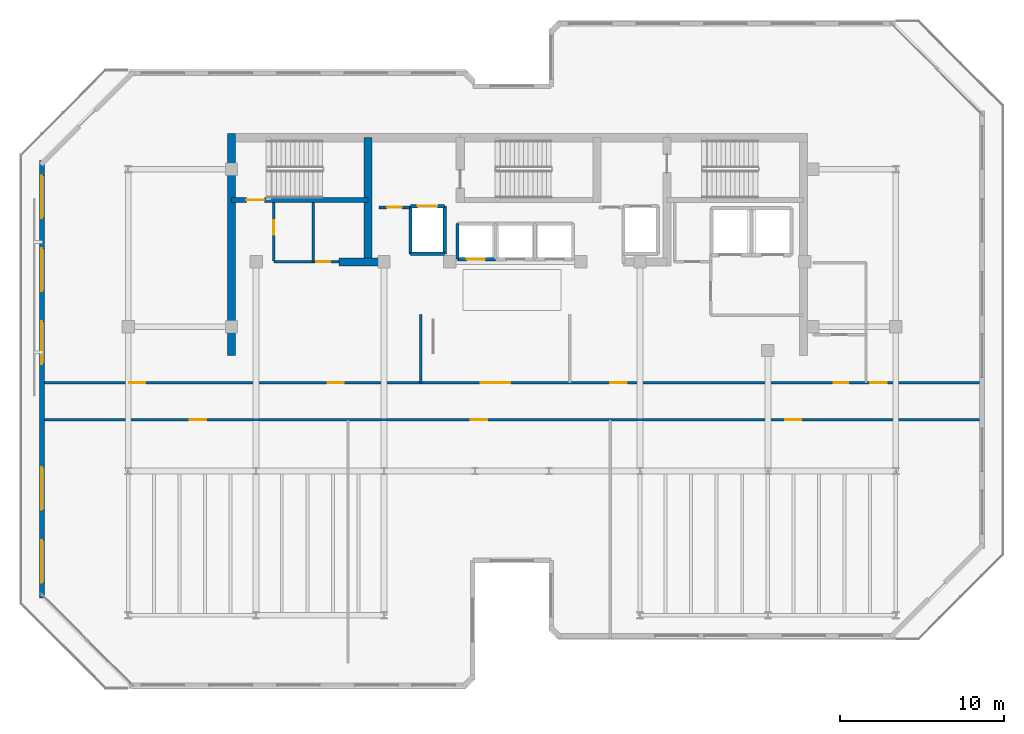
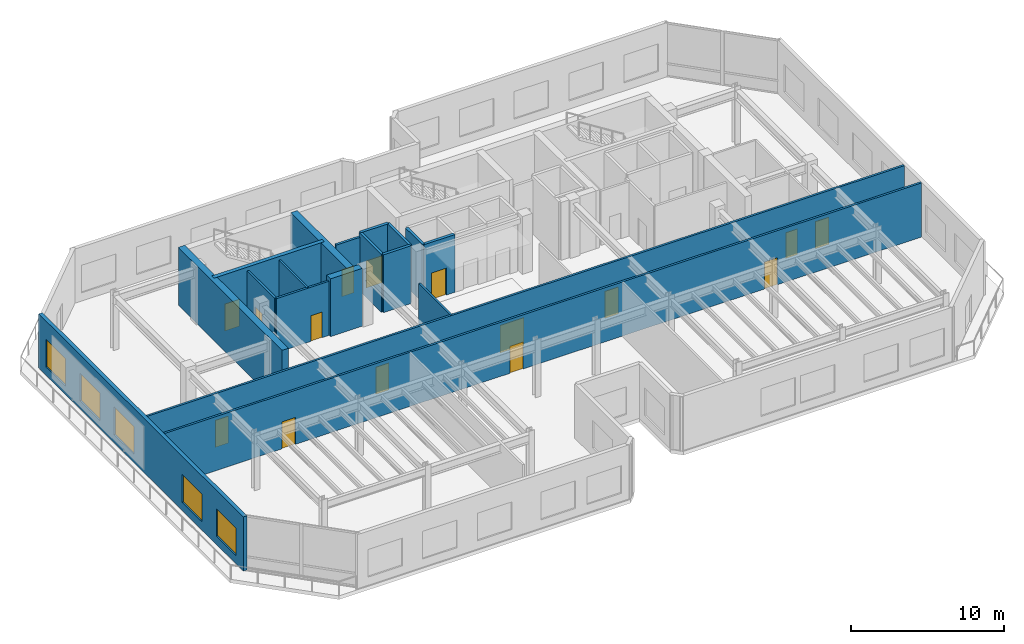
# One storey, part 6 of 12: 18 walls, 15 doors, 5 windows, 20 openings.
"""IFC4 building model written with IfcOpenShell, lengths in metres."""

from ifc_helpers import new_model, si_unit, direction, frame, frame_2d, origin, place, context, subcontext, project, spatial, rectangle, extrude, material, layer, layer_set, type_object, element, fill, save


model = new_model("IFC4")

# Units and contexts
model_context = context("Model", 3, precision=1e-05, world=origin(), true_north=direction((0.0, 1.0)))
body_context = subcontext(model_context, "Body", "Model", "MODEL_VIEW")
ifc_project = project(units=[si_unit("LENGTHUNIT", "METRE"), si_unit("AREAUNIT", "SQUARE_METRE"), si_unit("VOLUMEUNIT", "CUBIC_METRE"), si_unit("PLANEANGLEUNIT", "RADIAN"), si_unit("MASSUNIT", "GRAM", prefix="KILO")], contexts=[model_context])

# Site, building, storey
site_placement = place(None, origin())
site = spatial("IfcSite", under=ifc_project, at=site_placement, CompositionType="ELEMENT")
building_placement = place(site_placement, origin())
building = spatial("IfcBuilding", under=site, at=building_placement, Name="Kestravale Grand Hotel", CompositionType="ELEMENT")
storey_placement = place(building_placement, frame((0.0, 0.0, 302.0)))
storey = spatial("IfcBuildingStorey", under=building, at=storey_placement, Name="L75", CompositionType="ELEMENT", Elevation=302.0)

# Walls
ifc_material_1 = material(Name="Concrete f'c 50 MPa", Category="concrete")
ifc_layer_1 = layer(ifc_material_1, 0.5)
ifc_layer_set_1 = layer_set([ifc_layer_1], Name="EW-CORE-500")
wall_type_1 = type_object("IfcWallType", Name="EW-CORE-500", PredefinedType="SHEAR", material=ifc_layer_set_1)
wall_1_placement = place(storey_placement, frame((21.89990234375, 27.050048828125, 0.0), z_axis=(0.0, 0.0, 1.0), x_axis=(0.0, 1.0, 0.0)))
element("IfcWall", 1, at=wall_1_placement, inside=storey, type_object=wall_type_1, Name="L75 core shear wall W1", PredefinedType="SHEAR", context=body_context, shape_type="SweptSolid", body=[
    extrude(rectangle(XDim=13.52001953125, YDim=0.5, at=frame_2d((6.760009765625, 0.0))), origin(), (0.0, 0.0, 1.0), 4.60009765625),
])
wall_2_placement = place(storey_placement, frame((28.449951171875, 32.75, 0.0), z_axis=(0.0, 0.0, 1.0), x_axis=(1.0, 0.0, 0.0)))
element("IfcWall", 2, at=wall_2_placement, inside=storey, type_object=wall_type_1, Name="L75 core shear wall S1", PredefinedType="SHEAR", context=body_context, shape_type="SweptSolid", body=[
    extrude(rectangle(XDim=2.400146484375, YDim=0.5, at=frame_2d((1.2001953125, 0.0))), origin(), (0.0, 0.0, 1.0), 4.60009765625),
])
wall_3_placement = place(storey_placement, frame((30.219970703125, 33.0, 0.0), z_axis=(0.0, 0.0, 1.0), x_axis=(0.0, 1.0, 0.0)))
element("IfcWall", 3, at=wall_3_placement, inside=storey, type_object=wall_type_1, Name="L75 core shear wall X1", PredefinedType="SHEAR", context=body_context, shape_type="SweptSolid", body=[
    extrude(rectangle(XDim=7.320068359375, YDim=0.5, at=frame_2d((3.66015625, 0.0))), origin(), (0.0, 0.0, 1.0), 4.60009765625),
])

# Wall, openings, windows
ifc_material_2 = material(Name="Precast concrete f'c 45 MPa", Category="concrete")
ifc_layer_2 = layer(ifc_material_2, 0.280029296875)
ifc_layer_set_2 = layer_set([ifc_layer_2], Name="EW-PREC-280")
wall_type_2 = type_object("IfcWallType", Name="EW-PREC-280", PredefinedType="SOLIDWALL", material=ifc_layer_set_2)
wall_4_placement = place(storey_placement, frame((10.340087890625, 38.93994140625, 0.0), z_axis=(0.0, 0.0, 1.0), x_axis=(0.0, -1.0, 0.0)))
wall_4 = element("IfcWall", 4, at=wall_4_placement, inside=storey, type_object=wall_type_2, Name="L75 fluted precast facade wall 19", PredefinedType="SOLIDWALL", context=body_context, shape_type="SweptSolid", body=[
    extrude(rectangle(XDim=26.679931640625, YDim=0.280029296875, at=frame_2d((13.33984375, 0.0))), origin(), (0.0, 0.0, 1.0), 4.31005859375),
])
opening_1_placement = place(wall_4_placement, frame((0.92333984375, 0.0, 0.64990234375)))
opening_1 = element("IfcOpeningElement", 5, at=opening_1_placement, cuts=wall_4, Name="Opening W-SKY-2600", PredefinedType="OPENING", context=body_context, shape_type="SweptSolid", body=[
    extrude(rectangle(XDim=2.60009765625, YDim=2.199951171875, at=frame_2d((1.300048828125, 1.10009765625))), frame((0.0, 0.14990234375, 0.0), z_axis=(0.0, -1.0, 0.0), x_axis=(1.0, 0.0, 0.0)), (0.0, 0.0, 1.0), 0.300048828125),
])
opening_2_placement = place(wall_4_placement, frame((5.3701171875, 0.0, 0.64990234375)))
opening_2 = element("IfcOpeningElement", 6, at=opening_2_placement, cuts=wall_4, Name="Opening W-SKY-2600", PredefinedType="OPENING", context=body_context, shape_type="SweptSolid", body=[
    extrude(rectangle(XDim=2.60009765625, YDim=2.199951171875, at=frame_2d((1.300048828125, 1.10009765625))), frame((0.0, 0.14990234375, 0.0), z_axis=(0.0, -1.0, 0.0), x_axis=(1.0, 0.0, 0.0)), (0.0, 0.0, 1.0), 0.300048828125),
])
opening_3_placement = place(wall_4_placement, frame((9.816650390625, 0.0, 0.64990234375)))
opening_3 = element("IfcOpeningElement", 7, at=opening_3_placement, cuts=wall_4, Name="Opening W-SKY-2600", PredefinedType="OPENING", context=body_context, shape_type="SweptSolid", body=[
    extrude(rectangle(XDim=2.60009765625, YDim=2.199951171875, at=frame_2d((1.300048828125, 1.10009765625))), frame((0.0, 0.14990234375, 0.0), z_axis=(0.0, -1.0, 0.0), x_axis=(1.0, 0.0, 0.0)), (0.0, 0.0, 1.0), 0.300048828125),
])
opening_4_placement = place(wall_4_placement, frame((18.7099609375, 0.0, 0.64990234375)))
opening_4 = element("IfcOpeningElement", 8, at=opening_4_placement, cuts=wall_4, Name="Opening W-SKY-2600", PredefinedType="OPENING", context=body_context, shape_type="SweptSolid", body=[
    extrude(rectangle(XDim=2.60009765625, YDim=2.199951171875, at=frame_2d((1.300048828125, 1.10009765625))), frame((0.0, 0.14990234375, 0.0), z_axis=(0.0, -1.0, 0.0), x_axis=(1.0, 0.0, 0.0)), (0.0, 0.0, 1.0), 0.300048828125),
])
opening_5_placement = place(wall_4_placement, frame((23.15673828125, 0.0, 0.64990234375)))
opening_5 = element("IfcOpeningElement", 9, at=opening_5_placement, cuts=wall_4, Name="Opening W-SKY-2600", PredefinedType="OPENING", context=body_context, shape_type="SweptSolid", body=[
    extrude(rectangle(XDim=2.60009765625, YDim=2.199951171875, at=frame_2d((1.300048828125, 1.10009765625))), frame((0.0, 0.14990234375, 0.0), z_axis=(0.0, -1.0, 0.0), x_axis=(1.0, 0.0, 0.0)), (0.0, 0.0, 1.0), 0.300048828125),
])
ifc_material_3 = material(Name="Insulated low-E double glazing in aluminium frame", Category="aluminium")
window_type = type_object("IfcWindowType", Name="W-SKY-2600", PartitioningType="TRIPLE_PANEL_VERTICAL", PredefinedType="WINDOW", material=ifc_material_3)
window_1_placement = place(opening_1_placement, origin())
window_1 = element("IfcWindow", 10, at=window_1_placement, inside=storey, type_object=window_type, Name="L75 exterior window 19.1", OverallHeight=2.199951171875, OverallWidth=2.60009765625, PartitioningType="SINGLE_PANEL", PredefinedType="WINDOW", context=body_context, shape_type="SweptSolid", body=[
    extrude(rectangle(XDim=2.60009765625, YDim=2.199951171875, at=frame_2d((1.300048828125, 1.10009765625))), frame((0.0, 0.030029296875, 0.0), z_axis=(0.0, -1.0, 0.0), x_axis=(1.0, 0.0, 0.0)), (0.0, 0.0, 1.0), 0.06005859375),
])
fill(opening_1, window_1)
window_2_placement = place(opening_2_placement, origin())
window_2 = element("IfcWindow", 11, at=window_2_placement, inside=storey, type_object=window_type, Name="L75 exterior window 19.2", OverallHeight=2.199951171875, OverallWidth=2.60009765625, PartitioningType="SINGLE_PANEL", PredefinedType="WINDOW", context=body_context, shape_type="SweptSolid", body=[
    extrude(rectangle(XDim=2.60009765625, YDim=2.199951171875, at=frame_2d((1.300048828125, 1.10009765625))), frame((0.0, 0.030029296875, 0.0), z_axis=(0.0, -1.0, 0.0), x_axis=(1.0, 0.0, 0.0)), (0.0, 0.0, 1.0), 0.06005859375),
])
fill(opening_2, window_2)
window_3_placement = place(opening_3_placement, origin())
window_3 = element("IfcWindow", 12, at=window_3_placement, inside=storey, type_object=window_type, Name="L75 exterior window 19.3", OverallHeight=2.199951171875, OverallWidth=2.60009765625, PartitioningType="SINGLE_PANEL", PredefinedType="WINDOW", context=body_context, shape_type="SweptSolid", body=[
    extrude(rectangle(XDim=2.60009765625, YDim=2.199951171875, at=frame_2d((1.300048828125, 1.10009765625))), frame((0.0, 0.030029296875, 0.0), z_axis=(0.0, -1.0, 0.0), x_axis=(1.0, 0.0, 0.0)), (0.0, 0.0, 1.0), 0.06005859375),
])
fill(opening_3, window_3)
window_4_placement = place(opening_4_placement, origin())
window_4 = element("IfcWindow", 13, at=window_4_placement, inside=storey, type_object=window_type, Name="L75 exterior window 19.4", OverallHeight=2.199951171875, OverallWidth=2.60009765625, PartitioningType="SINGLE_PANEL", PredefinedType="WINDOW", context=body_context, shape_type="SweptSolid", body=[
    extrude(rectangle(XDim=2.60009765625, YDim=2.199951171875, at=frame_2d((1.300048828125, 1.10009765625))), frame((0.0, 0.030029296875, 0.0), z_axis=(0.0, -1.0, 0.0), x_axis=(1.0, 0.0, 0.0)), (0.0, 0.0, 1.0), 0.06005859375),
])
fill(opening_4, window_4)
window_5_placement = place(opening_5_placement, origin())
window_5 = element("IfcWindow", 14, at=window_5_placement, inside=storey, type_object=window_type, Name="L75 exterior window 19.5", OverallHeight=2.199951171875, OverallWidth=2.60009765625, PartitioningType="SINGLE_PANEL", PredefinedType="WINDOW", context=body_context, shape_type="SweptSolid", body=[
    extrude(rectangle(XDim=2.60009765625, YDim=2.199951171875, at=frame_2d((1.300048828125, 1.10009765625))), frame((0.0, 0.030029296875, 0.0), z_axis=(0.0, -1.0, 0.0), x_axis=(1.0, 0.0, 0.0)), (0.0, 0.0, 1.0), 0.06005859375),
])
fill(opening_5, window_5)

# Wall, opening, door
ifc_material_4 = material(Name="Concrete f'c 45 MPa", Category="concrete")
ifc_layer_3 = layer(ifc_material_4, 0.300048828125)
ifc_layer_set_3 = layer_set([ifc_layer_3], Name="EW-STAIR-300")
wall_type_3 = type_object("IfcWallType", Name="EW-STAIR-300", PredefinedType="SHEAR", material=ifc_layer_set_3)
wall_5_placement = place(storey_placement, frame((21.89990234375, 36.52001953125, 0.0), z_axis=(0.0, 0.0, 1.0), x_axis=(1.0, 0.0, 0.0)))
wall_5 = element("IfcWall", 15, at=wall_5_placement, inside=storey, type_object=wall_type_3, Name="L75 stair enclosure shear wall SST1", PredefinedType="SHEAR", context=body_context, shape_type="SweptSolid", body=[
    extrude(rectangle(XDim=8.320068359375, YDim=0.300048828125, at=frame_2d((4.16015625, 0.0))), origin(), (0.0, 0.0, 1.0), 4.60009765625),
])
opening_6_placement = place(wall_5_placement, frame((0.89990234375, 0.0, 0.0)))
opening_6 = element("IfcOpeningElement", 16, at=opening_6_placement, cuts=wall_5, Name="Opening D-ST-1100", PredefinedType="OPENING", context=body_context, shape_type="SweptSolid", body=[
    extrude(rectangle(XDim=1.10009765625, YDim=2.14990234375, at=frame_2d((0.550048828125, 1.074951171875))), frame((0.0, 0.159912109375, 0.0), z_axis=(0.0, -1.0, 0.0), x_axis=(1.0, 0.0, 0.0)), (0.0, 0.0, 1.0), 0.320068359375),
])
ifc_material_5 = material(Name="Galvanised 90-minute fire-rated steel stair door", Category="steel")
door_type_1 = type_object("IfcDoorType", Name="D-ST-1100", OperationType="NOTDEFINED", PredefinedType="DOOR", material=ifc_material_5)
door_1_placement = place(opening_6_placement, origin())
door_1 = element("IfcDoor", 17, at=door_1_placement, inside=storey, type_object=door_type_1, Name="L75 Stair ST-1 fire door", OperationType="SINGLE_SWING_RIGHT", OverallHeight=2.14990234375, OverallWidth=1.10009765625, PredefinedType="DOOR", context=body_context, shape_type="SweptSolid", body=[
    extrude(rectangle(XDim=1.10009765625, YDim=2.14990234375, at=frame_2d((0.550048828125, 1.074951171875))), frame((0.0, 0.02490234375, 0.0), z_axis=(0.0, -1.0, 0.0), x_axis=(1.0, 0.0, 0.0)), (0.0, 0.0, 1.0), 0.050048828125),
])
fill(opening_6, door_1)

ifc_material_6 = material(Name="Acoustic fire-rated gypsum board partition", Category="other")
ifc_layer_4 = layer(ifc_material_6, 0.159912109375)
ifc_layer_set_4 = layer_set([ifc_layer_4], Name="IW-CORR-160")
wall_type_4 = type_object("IfcWallType", Name="IW-CORR-160", PredefinedType="PARTITIONING", material=ifc_layer_set_4)
wall_6_placement = place(storey_placement, frame((24.47998046875, 32.800048828125, 0.0), z_axis=(0.0, 0.0, 1.0), x_axis=(0.0, 1.0, 0.0)))
wall_6 = element("IfcWall", 18, at=wall_6_placement, inside=storey, type_object=wall_type_4, Name="L75 west core vestibule wall", PredefinedType="PARTITIONING", context=body_context, shape_type="SweptSolid", body=[
    extrude(rectangle(XDim=3.570068359375, YDim=0.159912109375, at=frame_2d((1.78515625, 0.0))), origin(), (0.0, 0.0, 1.0), 4.31005859375),
])
opening_7_placement = place(wall_6_placement, frame((1.603515625, 0.0, 0.0)))
opening_7 = element("IfcOpeningElement", 19, at=opening_7_placement, cuts=wall_6, Name="Opening D-SH-900", PredefinedType="OPENING", context=body_context, shape_type="SweptSolid", body=[
    extrude(rectangle(XDim=0.89990234375, YDim=2.10009765625, at=frame_2d((0.449951171875, 1.050048828125))), frame((0.0, 0.08984375, 0.0), z_axis=(0.0, -1.0, 0.0), x_axis=(1.0, 0.0, 0.0)), (0.0, 0.0, 1.0), 0.179931640625),
])
ifc_material_7 = material(Name="Galvanised 90-minute shaft and service fire door", Category="steel")
door_type_2 = type_object("IfcDoorType", Name="D-SH-900", OperationType="NOTDEFINED", PredefinedType="DOOR", material=ifc_material_7)
door_2_placement = place(opening_7_placement, origin())
door_2 = element("IfcDoor", 20, at=door_2_placement, inside=storey, type_object=door_type_2, Name="D-L75-HK", OperationType="SINGLE_SWING_RIGHT", OverallHeight=2.10009765625, OverallWidth=0.89990234375, PredefinedType="DOOR", context=body_context, shape_type="SweptSolid", body=[
    extrude(rectangle(XDim=0.89990234375, YDim=2.10009765625, at=frame_2d((0.449951171875, 1.050048828125))), frame((0.0, 0.02490234375, 0.0), z_axis=(0.0, -1.0, 0.0), x_axis=(1.0, 0.0, 0.0)), (0.0, 0.0, 1.0), 0.050048828125),
])
fill(opening_7, door_2)

wall_7_placement = place(storey_placement, frame((24.47998046875, 32.75, 0.0), z_axis=(0.0, 0.0, 1.0), x_axis=(1.0, 0.0, 0.0)))
wall_7 = element("IfcWall", 21, at=wall_7_placement, inside=storey, type_object=wall_type_4, Name="W-L75-CWS", PredefinedType="PARTITIONING", context=body_context, shape_type="SweptSolid", body=[
    extrude(rectangle(XDim=3.969970703125, YDim=0.159912109375, at=frame_2d((1.98486328125, 0.0))), origin(), (0.0, 0.0, 1.0), 4.31005859375),
])
opening_8_placement = place(wall_7_placement, frame((2.5849609375, 0.0, 0.0)))
opening_8 = element("IfcOpeningElement", 22, at=opening_8_placement, cuts=wall_7, Name="Opening D-SH-860", PredefinedType="OPENING", context=body_context, shape_type="SweptSolid", body=[
    extrude(rectangle(XDim=0.860107421875, YDim=2.050048828125, at=frame_2d((0.43017578125, 1.02490234375))), frame((0.0, 0.08984375, 0.0), z_axis=(0.0, -1.0, 0.0), x_axis=(1.0, 0.0, 0.0)), (0.0, 0.0, 1.0), 0.179931640625),
])
ifc_material_8 = material(Name="Galvanised 90-minute riser fire door", Category="steel")
door_type_3 = type_object("IfcDoorType", Name="D-SH-860", OperationType="NOTDEFINED", PredefinedType="DOOR", material=ifc_material_8)
door_3_placement = place(opening_8_placement, origin())
door_3 = element("IfcDoor", 23, at=door_3_placement, inside=storey, type_object=door_type_3, Name="D-L75-ELEC", OperationType="SINGLE_SWING_RIGHT", OverallHeight=2.050048828125, OverallWidth=0.860107421875, PredefinedType="DOOR", context=body_context, shape_type="SweptSolid", body=[
    extrude(rectangle(XDim=0.860107421875, YDim=2.050048828125, at=frame_2d((0.43017578125, 1.02490234375))), frame((0.0, 0.02490234375, 0.0), z_axis=(0.0, -1.0, 0.0), x_axis=(1.0, 0.0, 0.0)), (0.0, 0.0, 1.0), 0.050048828125),
])
fill(opening_8, door_3)

# Wall, openings, doors
wall_8_placement = place(storey_placement, frame((10.5, 23.1201171875, 0.0), z_axis=(0.0, 0.0, 1.0), x_axis=(1.0, 0.0, 0.0)))
wall_8 = element("IfcWall", 24, at=wall_8_placement, inside=storey, type_object=wall_type_4, Name="W-L75-SC-S", PredefinedType="PARTITIONING", context=body_context, shape_type="SweptSolid", body=[
    extrude(rectangle(XDim=57.0, YDim=0.159912109375, at=frame_2d((28.5, 0.0))), origin(), (0.0, 0.0, 1.0), 4.31005859375),
])
opening_9_placement = place(wall_8_placement, frame((8.85009765625, 0.0, 0.0)))
opening_9 = element("IfcOpeningElement", 25, at=opening_9_placement, cuts=wall_8, Name="Opening D-GUEST-1000", PredefinedType="OPENING", context=body_context, shape_type="SweptSolid", body=[
    extrude(rectangle(XDim=1.0, YDim=2.14990234375, at=frame_2d((0.5, 1.074951171875))), frame((0.0, 0.08984375, 0.0), z_axis=(0.0, -1.0, 0.0), x_axis=(1.0, 0.0, 0.0)), (0.0, 0.0, 1.0), 0.179931640625),
])
opening_10_placement = place(wall_8_placement, frame((26.0, 0.0, 0.0)))
opening_10 = element("IfcOpeningElement", 26, at=opening_10_placement, cuts=wall_8, Name="Opening D-GUEST-1000", PredefinedType="OPENING", context=body_context, shape_type="SweptSolid", body=[
    extrude(rectangle(XDim=1.0, YDim=2.14990234375, at=frame_2d((0.5, 1.074951171875))), frame((0.0, 0.08984375, 0.0), z_axis=(0.0, -1.0, 0.0), x_axis=(1.0, 0.0, 0.0)), (0.0, 0.0, 1.0), 0.179931640625),
])
opening_11_placement = place(wall_8_placement, frame((45.14990234375, 0.0, 0.0)))
opening_11 = element("IfcOpeningElement", 27, at=opening_11_placement, cuts=wall_8, Name="Opening D-GUEST-1000", PredefinedType="OPENING", context=body_context, shape_type="SweptSolid", body=[
    extrude(rectangle(XDim=1.0, YDim=2.14990234375, at=frame_2d((0.5, 1.074951171875))), frame((0.0, 0.08984375, 0.0), z_axis=(0.0, -1.0, 0.0), x_axis=(1.0, 0.0, 0.0)), (0.0, 0.0, 1.0), 0.179931640625),
])
ifc_material_9 = material(Name="Accessible walnut veneer hotel entrance fire door", Category="wood")
door_type_4 = type_object("IfcDoorType", Name="D-GUEST-1000", OperationType="NOTDEFINED", PredefinedType="DOOR", material=ifc_material_9)
door_4_placement = place(opening_9_placement, origin())
door_4 = element("IfcDoor", 28, at=door_4_placement, inside=storey, type_object=door_type_4, Name="D-L75-OBSW", OperationType="SINGLE_SWING_RIGHT", OverallHeight=2.14990234375, OverallWidth=1.0, PredefinedType="DOOR", context=body_context, shape_type="SweptSolid", body=[
    extrude(rectangle(XDim=1.0, YDim=2.14990234375, at=frame_2d((0.5, 1.074951171875))), frame((0.0, 0.02490234375, 0.0), z_axis=(0.0, -1.0, 0.0), x_axis=(1.0, 0.0, 0.0)), (0.0, 0.0, 1.0), 0.050048828125),
])
fill(opening_9, door_4)
door_5_placement = place(opening_10_placement, origin())
door_5 = element("IfcDoor", 29, at=door_5_placement, inside=storey, type_object=door_type_4, Name="D-L75-CAFE75", OperationType="SINGLE_SWING_LEFT", OverallHeight=2.14990234375, OverallWidth=1.0, PredefinedType="DOOR", context=body_context, shape_type="SweptSolid", body=[
    extrude(rectangle(XDim=1.0, YDim=2.14990234375, at=frame_2d((0.5, 1.074951171875))), frame((0.0, 0.02490234375, 0.0), z_axis=(0.0, -1.0, 0.0), x_axis=(1.0, 0.0, 0.0)), (0.0, 0.0, 1.0), 0.050048828125),
])
fill(opening_10, door_5)
door_6_placement = place(opening_11_placement, origin())
door_6 = element("IfcDoor", 30, at=door_6_placement, inside=storey, type_object=door_type_4, Name="D-L75-EXHIB", OperationType="SINGLE_SWING_RIGHT", OverallHeight=2.14990234375, OverallWidth=1.0, PredefinedType="DOOR", context=body_context, shape_type="SweptSolid", body=[
    extrude(rectangle(XDim=1.0, YDim=2.14990234375, at=frame_2d((0.5, 1.074951171875))), frame((0.0, 0.02490234375, 0.0), z_axis=(0.0, -1.0, 0.0), x_axis=(1.0, 0.0, 0.0)), (0.0, 0.0, 1.0), 0.050048828125),
])
fill(opening_11, door_6)

wall_9_placement = place(storey_placement, frame((10.5, 25.3798828125, 0.0), z_axis=(0.0, 0.0, 1.0), x_axis=(1.0, 0.0, 0.0)))
wall_9 = element("IfcWall", 31, at=wall_9_placement, inside=storey, type_object=wall_type_4, Name="W-L75-SC-N", PredefinedType="PARTITIONING", context=body_context, shape_type="SweptSolid", body=[
    extrude(rectangle(XDim=57.0, YDim=0.159912109375, at=frame_2d((28.5, 0.0))), origin(), (0.0, 0.0, 1.0), 4.31005859375),
])
opening_12_placement = place(wall_9_placement, frame((26.60009765625, 0.0, 0.0)))
opening_12 = element("IfcOpeningElement", 32, at=opening_12_placement, cuts=wall_9, Name="Opening D-CORR-1800", PredefinedType="OPENING", context=body_context, shape_type="SweptSolid", body=[
    extrude(rectangle(XDim=1.800048828125, YDim=2.199951171875, at=frame_2d((0.89990234375, 1.10009765625))), frame((0.0, 0.08984375, 0.0), z_axis=(0.0, -1.0, 0.0), x_axis=(1.0, 0.0, 0.0)), (0.0, 0.0, 1.0), 0.179931640625),
])
opening_13_placement = place(wall_9_placement, frame((17.25, 0.0, 0.0)))
opening_13 = element("IfcOpeningElement", 33, at=opening_13_placement, cuts=wall_9, Name="Opening D-GUEST-1000", PredefinedType="OPENING", context=body_context, shape_type="SweptSolid", body=[
    extrude(rectangle(XDim=1.0, YDim=2.14990234375, at=frame_2d((0.5, 1.074951171875))), frame((0.0, 0.08984375, 0.0), z_axis=(0.0, -1.0, 0.0), x_axis=(1.0, 0.0, 0.0)), (0.0, 0.0, 1.0), 0.179931640625),
])
opening_14_placement = place(wall_9_placement, frame((34.5, 0.0, 0.0)))
opening_14 = element("IfcOpeningElement", 34, at=opening_14_placement, cuts=wall_9, Name="Opening D-GUEST-1000", PredefinedType="OPENING", context=body_context, shape_type="SweptSolid", body=[
    extrude(rectangle(XDim=1.0, YDim=2.14990234375, at=frame_2d((0.5, 1.074951171875))), frame((0.0, 0.08984375, 0.0), z_axis=(0.0, -1.0, 0.0), x_axis=(1.0, 0.0, 0.0)), (0.0, 0.0, 1.0), 0.179931640625),
])
opening_15_placement = place(wall_9_placement, frame((5.14990234375, 0.0, 0.0)))
opening_15 = element("IfcOpeningElement", 35, at=opening_15_placement, cuts=wall_9, Name="Opening D-GUEST-1000", PredefinedType="OPENING", context=body_context, shape_type="SweptSolid", body=[
    extrude(rectangle(XDim=1.0, YDim=2.14990234375, at=frame_2d((0.5, 1.074951171875))), frame((0.0, 0.08984375, 0.0), z_axis=(0.0, -1.0, 0.0), x_axis=(1.0, 0.0, 0.0)), (0.0, 0.0, 1.0), 0.179931640625),
])
opening_16_placement = place(wall_9_placement, frame((48.110107421875, 0.0, 0.0)))
opening_16 = element("IfcOpeningElement", 36, at=opening_16_placement, cuts=wall_9, Name="Opening D-BATH-880", PredefinedType="OPENING", context=body_context, shape_type="SweptSolid", body=[
    extrude(rectangle(XDim=0.8798828125, YDim=2.050048828125, at=frame_2d((0.43994140625, 1.02490234375))), frame((0.0, 0.08984375, 0.0), z_axis=(0.0, -1.0, 0.0), x_axis=(1.0, 0.0, 0.0)), (0.0, 0.0, 1.0), 0.179931640625),
])
opening_17_placement = place(wall_9_placement, frame((50.35009765625, 0.0, 0.0)))
opening_17 = element("IfcOpeningElement", 37, at=opening_17_placement, cuts=wall_9, Name="Opening D-GUEST-1000", PredefinedType="OPENING", context=body_context, shape_type="SweptSolid", body=[
    extrude(rectangle(XDim=1.0, YDim=2.14990234375, at=frame_2d((0.5, 1.074951171875))), frame((0.0, 0.08984375, 0.0), z_axis=(0.0, -1.0, 0.0), x_axis=(1.0, 0.0, 0.0)), (0.0, 0.0, 1.0), 0.179931640625),
])
ifc_material_10 = material(Name="Moisture-sealed walnut en-suite bathroom door", Category="wood")
door_type_5 = type_object("IfcDoorType", Name="D-BATH-880", OperationType="NOTDEFINED", PredefinedType="DOOR", material=ifc_material_10)
door_7_placement = place(opening_16_placement, origin())
door_7 = element("IfcDoor", 38, at=door_7_placement, inside=storey, type_object=door_type_5, Name="D-L75-WCA", OperationType="SINGLE_SWING_RIGHT", OverallHeight=2.050048828125, OverallWidth=0.8798828125, PredefinedType="DOOR", context=body_context, shape_type="SweptSolid", body=[
    extrude(rectangle(XDim=0.8798828125, YDim=2.050048828125, at=frame_2d((0.43994140625, 1.02490234375))), frame((0.0, 0.02490234375, 0.0), z_axis=(0.0, -1.0, 0.0), x_axis=(1.0, 0.0, 0.0)), (0.0, 0.0, 1.0), 0.050048828125),
])
fill(opening_16, door_7)
ifc_material_11 = material(Name="Double-leaf glazed bronze acoustic corridor fire door", Category="aluminium")
door_type_6 = type_object("IfcDoorType", Name="D-CORR-1800", OperationType="NOTDEFINED", PredefinedType="DOOR", material=ifc_material_11)
door_8_placement = place(opening_12_placement, origin())
door_8 = element("IfcDoor", 39, at=door_8_placement, inside=storey, type_object=door_type_6, Name="D-L75-LCONN", OperationType="DOUBLE_DOOR_SINGLE_SWING", OverallHeight=2.199951171875, OverallWidth=1.800048828125, PredefinedType="DOOR", context=body_context, shape_type="SweptSolid", body=[
    extrude(rectangle(XDim=1.800048828125, YDim=2.199951171875, at=frame_2d((0.89990234375, 1.10009765625))), frame((0.0, 0.02490234375, 0.0), z_axis=(0.0, -1.0, 0.0), x_axis=(1.0, 0.0, 0.0)), (0.0, 0.0, 1.0), 0.050048828125),
])
fill(opening_12, door_8)
door_9_placement = place(opening_13_placement, origin())
door_9 = element("IfcDoor", 40, at=door_9_placement, inside=storey, type_object=door_type_4, Name="D-L75-RECL-W", OperationType="SINGLE_SWING_RIGHT", OverallHeight=2.14990234375, OverallWidth=1.0, PredefinedType="DOOR", context=body_context, shape_type="SweptSolid", body=[
    extrude(rectangle(XDim=1.0, YDim=2.14990234375, at=frame_2d((0.5, 1.074951171875))), frame((0.0, 0.02490234375, 0.0), z_axis=(0.0, -1.0, 0.0), x_axis=(1.0, 0.0, 0.0)), (0.0, 0.0, 1.0), 0.050048828125),
])
fill(opening_13, door_9)
door_10_placement = place(opening_14_placement, origin())
door_10 = element("IfcDoor", 41, at=door_10_placement, inside=storey, type_object=door_type_4, Name="D-L75-RECL-E", OperationType="SINGLE_SWING_LEFT", OverallHeight=2.14990234375, OverallWidth=1.0, PredefinedType="DOOR", context=body_context, shape_type="SweptSolid", body=[
    extrude(rectangle(XDim=1.0, YDim=2.14990234375, at=frame_2d((0.5, 1.074951171875))), frame((0.0, 0.02490234375, 0.0), z_axis=(0.0, -1.0, 0.0), x_axis=(1.0, 0.0, 0.0)), (0.0, 0.0, 1.0), 0.050048828125),
])
fill(opening_14, door_10)
door_11_placement = place(opening_15_placement, origin())
door_11 = element("IfcDoor", 42, at=door_11_placement, inside=storey, type_object=door_type_4, Name="D-L75-NW", OperationType="SINGLE_SWING_LEFT", OverallHeight=2.14990234375, OverallWidth=1.0, PredefinedType="DOOR", context=body_context, shape_type="SweptSolid", body=[
    extrude(rectangle(XDim=1.0, YDim=2.14990234375, at=frame_2d((0.5, 1.074951171875))), frame((0.0, 0.02490234375, 0.0), z_axis=(0.0, -1.0, 0.0), x_axis=(1.0, 0.0, 0.0)), (0.0, 0.0, 1.0), 0.050048828125),
])
fill(opening_15, door_11)
door_12_placement = place(opening_17_placement, origin())
door_12 = element("IfcDoor", 43, at=door_12_placement, inside=storey, type_object=door_type_4, Name="L75 NE Gallery Door", OperationType="SINGLE_SWING_LEFT", OverallHeight=2.14990234375, OverallWidth=1.0, PredefinedType="DOOR", context=body_context, shape_type="SweptSolid", body=[
    extrude(rectangle(XDim=1.0, YDim=2.14990234375, at=frame_2d((0.5, 1.074951171875))), frame((0.0, 0.02490234375, 0.0), z_axis=(0.0, -1.0, 0.0), x_axis=(1.0, 0.0, 0.0)), (0.0, 0.0, 1.0), 0.050048828125),
])
fill(opening_17, door_12)

# Wall, opening, door
ifc_material_12 = material(Name="Fire-rated gypsum board on steel studs with mineral wool", Category="steel")
ifc_layer_5 = layer(ifc_material_12, 0.179931640625)
ifc_layer_set_5 = layer_set([ifc_layer_5], Name="IW-FSAE-180")
wall_type_5 = type_object("IfcWallType", Name="IW-FSAE-180", PredefinedType="PARTITIONING", material=ifc_layer_set_5)
wall_10_placement = place(storey_placement, frame((30.89990234375, 36.080078125, 0.0), z_axis=(0.0, 0.0, 1.0), x_axis=(1.0, 0.0, 0.0)))
wall_10 = element("IfcWall", 44, at=wall_10_placement, inside=storey, type_object=wall_type_5, Name="L75 FSAE Lobby 1 smoke barrier", PredefinedType="PARTITIONING", context=body_context, shape_type="SweptSolid", body=[
    extrude(rectangle(XDim=1.85009765625, YDim=0.179931640625, at=frame_2d((0.925048828125, 0.0))), origin(), (0.0, 0.0, 1.0), 4.31005859375),
])
opening_18_placement = place(wall_10_placement, frame((0.47998046875, 0.0, 0.0)))
opening_18 = element("IfcOpeningElement", 45, at=opening_18_placement, cuts=wall_10, Name="Opening D-FSAE-1000", PredefinedType="OPENING", context=body_context, shape_type="SweptSolid", body=[
    extrude(rectangle(XDim=0.89990234375, YDim=2.14990234375, at=frame_2d((0.449951171875, 1.074951171875))), frame((0.0, 0.099853515625, 0.0), z_axis=(0.0, -1.0, 0.0), x_axis=(1.0, 0.0, 0.0)), (0.0, 0.0, 1.0), 0.199951171875),
])
ifc_material_13 = material(Name="Smoke-gasketed FSAE lobby fire door", Category="steel")
door_type_7 = type_object("IfcDoorType", Name="D-FSAE-1000", OperationType="NOTDEFINED", PredefinedType="DOOR", material=ifc_material_13)
door_13_placement = place(opening_18_placement, origin())
door_13 = element("IfcDoor", 46, at=door_13_placement, inside=storey, type_object=door_type_7, Name="L75 FSAE Lobby 1 fire door", OperationType="SINGLE_SWING_RIGHT", OverallHeight=2.14990234375, OverallWidth=0.89990234375, PredefinedType="DOOR", context=body_context, shape_type="SweptSolid", body=[
    extrude(rectangle(XDim=0.89990234375, YDim=2.14990234375, at=frame_2d((0.449951171875, 1.074951171875))), frame((0.0, 0.02490234375, 0.0), z_axis=(0.0, -1.0, 0.0), x_axis=(1.0, 0.0, 0.0)), (0.0, 0.0, 1.0), 0.050048828125),
])
fill(opening_18, door_13)

# Walls
ifc_material_14 = material(Name="Concrete f'c 45 MPa", Category="concrete")
ifc_layer_6 = layer(ifc_material_14, 0.199951171875)
ifc_layer_set_6 = layer_set([ifc_layer_6], Name="IW-SHAFT-200")
wall_type_6 = type_object("IfcWallType", Name="IW-SHAFT-200", PredefinedType="SHEAR", material=ifc_layer_set_6)
wall_11_placement = place(storey_placement, frame((35.679931640625, 32.919921875, 0.0), z_axis=(0.0, 0.0, 1.0), x_axis=(0.0, 1.0, 0.0)))
element("IfcWall", 47, at=wall_11_placement, inside=storey, type_object=wall_type_6, Name="L75 PL-X1 west shaft wall", PredefinedType="SHEAR", context=body_context, shape_type="SweptSolid", body=[
    extrude(rectangle(XDim=2.16015625, YDim=0.199951171875, at=frame_2d((1.080078125, 0.0))), origin(), (0.0, 0.0, 1.0), 4.60009765625),
])
for number, where, z_axis, x_axis, name in (
    (48, (32.804931640625, 33.2451171875, 0.0), (0.0, 0.0, 1.0), (0.0, 1.0, 0.0), "L75 FL-1 west shaft wall"),
    (49, (34.89501953125, 33.2451171875, 0.0), (0.0, 0.0, 1.0), (0.0, 1.0, 0.0), "L75 FL-1 east shaft wall"),
):
    element("IfcWall", number, at=place(storey_placement, frame(where, z_axis=z_axis, x_axis=x_axis)), inside=storey, type_object=wall_type_6, Name=name, PredefinedType="SHEAR", context=body_context, shape_type="SweptSolid", body=[
        extrude(rectangle(XDim=2.909912109375, YDim=0.199951171875, at=frame_2d((1.455078125, 0.0))), origin(), (0.0, 0.0, 1.0), 4.60009765625),
    ])

# Wall, opening, door
ifc_material_15 = material(Name="Concrete f'c 45 MPa", Category="concrete")
ifc_layer_7 = layer(ifc_material_15, 0.219970703125)
ifc_layer_set_7 = layer_set([ifc_layer_7], Name="IW-SHAFT-220")
wall_type_7 = type_object("IfcWallType", Name="IW-SHAFT-220", PredefinedType="SHEAR", material=ifc_layer_set_7)
wall_12_placement = place(storey_placement, frame((35.679931640625, 32.919921875, 0.0), z_axis=(0.0, 0.0, 1.0), x_axis=(1.0, 0.0, 0.0)))
wall_12 = element("IfcWall", 50, at=wall_12_placement, inside=storey, type_object=wall_type_7, Name="L75 PL-X1 south shaft wall", PredefinedType="SHEAR", context=body_context, shape_type="SweptSolid", body=[
    extrude(rectangle(XDim=2.320068359375, YDim=0.219970703125, at=frame_2d((1.16015625, 0.0))), origin(), (0.0, 0.0, 1.0), 4.60009765625),
])
opening_19_placement = place(wall_12_placement, frame((0.570068359375, 0.0, 0.0)))
opening_19 = element("IfcOpeningElement", 51, at=opening_19_placement, cuts=wall_12, Name="Opening LD-PAX-1100", PredefinedType="OPENING", context=body_context, shape_type="SweptSolid", body=[
    extrude(rectangle(XDim=1.10009765625, YDim=2.14990234375, at=frame_2d((0.550048828125, 1.074951171875))), frame((0.0, 0.119873046875, 0.0), z_axis=(0.0, -1.0, 0.0), x_axis=(1.0, 0.0, 0.0)), (0.0, 0.0, 1.0), 0.239990234375),
])
ifc_material_16 = material(Name="Champagne-bronze center-opening sliding elevator landing door", Category="steel")
door_type_8 = type_object("IfcDoorType", Name="LD-PAX-1100", OperationType="NOTDEFINED", PredefinedType="DOOR", material=ifc_material_16)
door_14_placement = place(opening_19_placement, origin())
door_14 = element("IfcDoor", 52, at=door_14_placement, inside=storey, type_object=door_type_8, Name="L75 PL-X1 elevator landing sliding door", OperationType="DOUBLE_DOOR_SLIDING", OverallHeight=2.14990234375, OverallWidth=1.10009765625, PredefinedType="DOOR", context=body_context, shape_type="SweptSolid", body=[
    extrude(rectangle(XDim=1.10009765625, YDim=2.14990234375, at=frame_2d((0.550048828125, 1.074951171875))), frame((0.0, 0.02490234375, 0.0), z_axis=(0.0, -1.0, 0.0), x_axis=(1.0, 0.0, 0.0)), (0.0, 0.0, 1.0), 0.050048828125),
])
fill(opening_19, door_14)

wall_13_placement = place(storey_placement, frame((32.804931640625, 36.155029296875, 0.0), z_axis=(0.0, 0.0, 1.0), x_axis=(1.0, 0.0, 0.0)))
wall_13 = element("IfcWall", 53, at=wall_13_placement, inside=storey, type_object=wall_type_7, Name="L75 FL-1 north shaft wall", PredefinedType="SHEAR", context=body_context, shape_type="SweptSolid", body=[
    extrude(rectangle(XDim=2.090087890625, YDim=0.219970703125, at=frame_2d((1.044921875, 0.0))), origin(), (0.0, 0.0, 1.0), 4.60009765625),
])
opening_20_placement = place(wall_13_placement, frame((0.445068359375, 0.0, 0.0)))
opening_20 = element("IfcOpeningElement", 54, at=opening_20_placement, cuts=wall_13, Name="Opening LD-FSAE-1200", PredefinedType="OPENING", context=body_context, shape_type="SweptSolid", body=[
    extrude(rectangle(XDim=1.199951171875, YDim=2.14990234375, at=frame_2d((0.60009765625, 1.074951171875))), frame((0.0, 0.119873046875, 0.0), z_axis=(0.0, -1.0, 0.0), x_axis=(1.0, 0.0, 0.0)), (0.0, 0.0, 1.0), 0.239990234375),
])
ifc_material_17 = material(Name="Stainless fire-service sliding elevator landing door", Category="steel")
door_type_9 = type_object("IfcDoorType", Name="LD-FSAE-1200", OperationType="NOTDEFINED", PredefinedType="DOOR", material=ifc_material_17)
door_15_placement = place(opening_20_placement, origin())
door_15 = element("IfcDoor", 55, at=door_15_placement, inside=storey, type_object=door_type_9, Name="L75 FL-1 elevator landing sliding door", OperationType="DOUBLE_DOOR_SLIDING", OverallHeight=2.14990234375, OverallWidth=1.199951171875, PredefinedType="DOOR", context=body_context, shape_type="SweptSolid", body=[
    extrude(rectangle(XDim=1.199951171875, YDim=2.14990234375, at=frame_2d((0.60009765625, 1.074951171875))), frame((0.0, 0.02490234375, 0.0), z_axis=(0.0, -1.0, 0.0), x_axis=(1.0, 0.0, 0.0)), (0.0, 0.0, 1.0), 0.050048828125),
])
fill(opening_20, door_15)

# Walls
wall_14_placement = place(storey_placement, frame((32.804931640625, 33.2451171875, 0.0), z_axis=(0.0, 0.0, 1.0), x_axis=(1.0, 0.0, 0.0)))
element("IfcWall", 56, at=wall_14_placement, inside=storey, type_object=wall_type_7, Name="L75 FL-1 south shaft wall", PredefinedType="SHEAR", context=body_context, shape_type="SweptSolid", body=[
    extrude(rectangle(XDim=2.090087890625, YDim=0.219970703125, at=frame_2d((1.044921875, 0.0))), origin(), (0.0, 0.0, 1.0), 4.60009765625),
])
ifc_material_18 = material(Name="Double-stud STC 52 acoustic demising partition", Category="other")
ifc_layer_8 = layer(ifc_material_18, 0.14990234375)
ifc_layer_set_8 = layer_set([ifc_layer_8], Name="IW-UNIT-150")
wall_type_8 = type_object("IfcWallType", Name="IW-UNIT-150", PredefinedType="PARTITIONING", material=ifc_layer_set_8)
wall_15_placement = place(storey_placement, frame((26.8798828125, 32.75, 0.0), z_axis=(0.0, 0.0, 1.0), x_axis=(0.0, 1.0, 0.0)))
element("IfcWall", 57, at=wall_15_placement, inside=storey, type_object=wall_type_8, Name="W-L75-CC0-1", PredefinedType="PARTITIONING", context=body_context, shape_type="SweptSolid", body=[
    extrude(rectangle(XDim=3.6201171875, YDim=0.14990234375, at=frame_2d((1.81005859375, 0.0))), origin(), (0.0, 0.0, 1.0), 4.31005859375),
])
wall_16_placement = place(storey_placement, frame((33.449951171875, 25.3798828125, 0.0), z_axis=(0.0, 0.0, 1.0), x_axis=(0.0, 1.0, 0.0)))
element("IfcWall", 58, at=wall_16_placement, inside=storey, type_object=wall_type_8, Name="W-L75-RCLW-E", PredefinedType="PARTITIONING", context=body_context, shape_type="SweptSolid", body=[
    extrude(rectangle(XDim=4.170166015625, YDim=0.14990234375, at=frame_2d((2.0849609375, 0.0))), origin(), (0.0, 0.0, 1.0), 4.31005859375),
])

save(model, "model.ifc")
